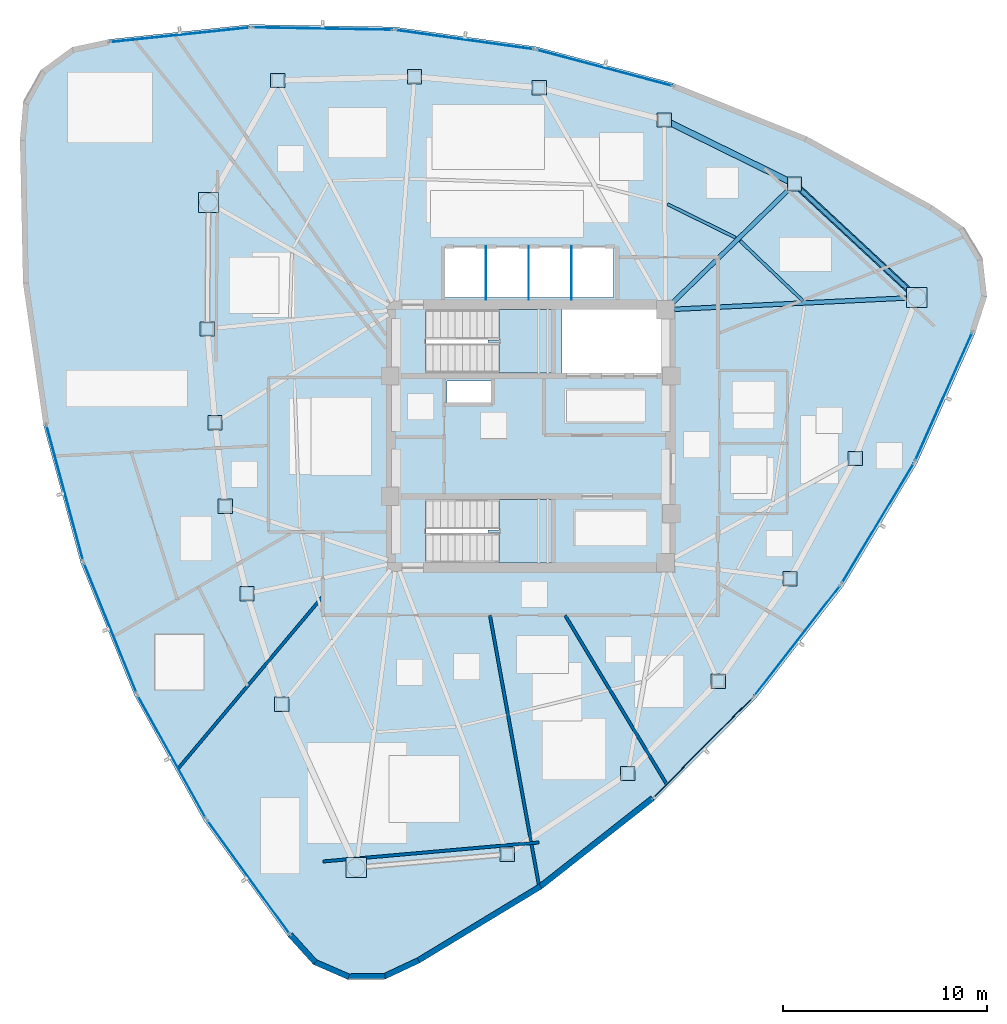
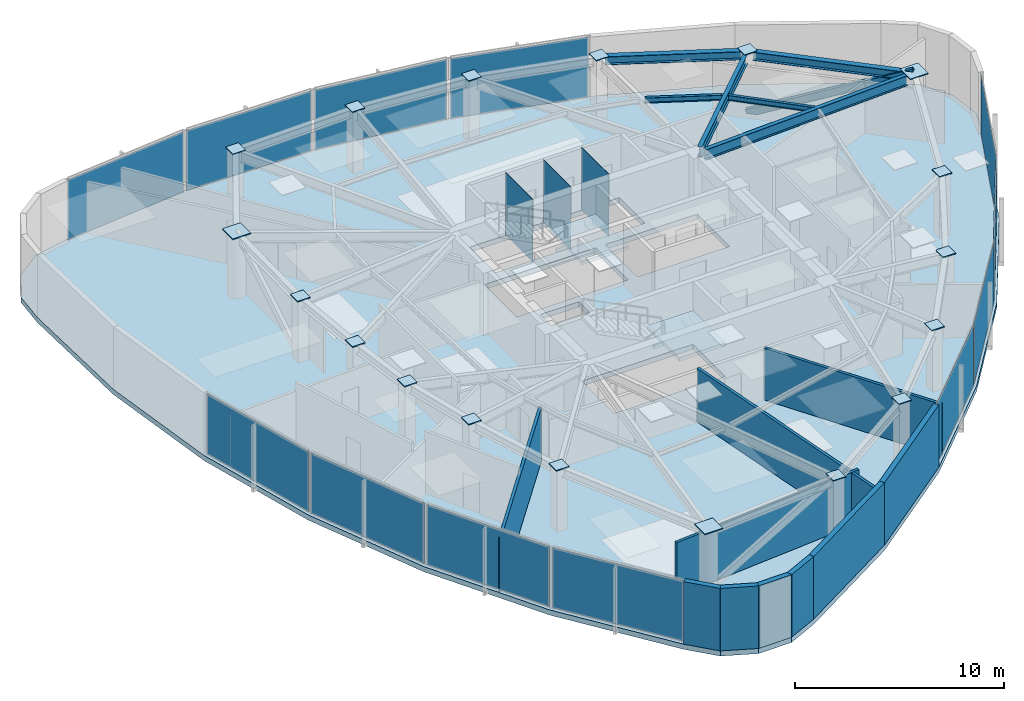
# One storey, part 7 of 13: 33 plates, 10 walls, 6 beams, 3 slabs, 1 member, 14 elements without a shape of their own.
"""IFC4 building model written with IfcOpenShell, lengths in metres."""

from ifc_helpers import new_model, si_unit, direction, frame, frame_2d, origin, origin_2d, place, context, subcontext, project, spatial, polyline, rectangle, hollow_rectangle, i_section, outline, extrude, source, transform, mapped, material, layer, layer_set, material_profile, profile_set, type_object, type_shapes, element, aggregate, save


model = new_model("IFC4")

# Units and contexts
model_context = context("Model", 3, precision=1e-05, world=origin(), true_north=direction((0.0, 1.0)))
body_context = subcontext(model_context, "Body", "Model", "MODEL_VIEW")
ifc_project = project(units=[si_unit("LENGTHUNIT", "METRE"), si_unit("AREAUNIT", "SQUARE_METRE"), si_unit("VOLUMEUNIT", "CUBIC_METRE"), si_unit("PLANEANGLEUNIT", "RADIAN"), si_unit("MASSUNIT", "GRAM", prefix="KILO")], contexts=[model_context])

# Site, building, storey
site_placement = place(None, origin())
site = spatial("IfcSite", under=ifc_project, at=site_placement, CompositionType="ELEMENT")
building_placement = place(site_placement, origin())
building = spatial("IfcBuilding", under=site, at=building_placement, Name="Tavelor Broadcast Tower", CompositionType="ELEMENT")
storey_placement = place(building_placement, frame((0.0, 0.0, 245.85009765625)))
storey = spatial("IfcBuildingStorey", under=building, at=storey_placement, Name="L58", CompositionType="ELEMENT", Elevation=245.85009765625)

# Beams
ifc_material_1 = material(Name="Steel S355", Category="steel")
ifc_material_profile_1 = material_profile(ifc_material_1, i_section(OverallWidth=0.14990234375, OverallDepth=0.300048828125, WebThickness=0.007080078125, FlangeThickness=0.0107421875, at=origin_2d()), Name="IPE 300")
ifc_profile_set_1 = profile_set([ifc_material_profile_1], Name="Steel S355")
beam_type_1 = type_object("IfcBeamType", Name="Composite Floor Joist T5 IPE 300", PredefinedType="JOIST", material=ifc_profile_set_1)
beam_1_placement = place(storey_placement, frame((63.3427734375, 51.629150390625, 3.5), z_axis=(-0.722407874214, 0.691467181632, 0.0), x_axis=(-0.691467181632, -0.722407874214, 0.0)))
element("IfcBeam", 1, at=beam_1_placement, inside=storey, type_object=beam_type_1, Name="L58 Secondary Composite Floor Joist 13", PredefinedType="JOIST", context=body_context, shape_type="SweptSolid", body=[
    extrude(i_section(OverallWidth=0.14990234375, OverallDepth=0.300048828125, WebThickness=0.007080078125, FlangeThickness=0.0107421875, at=origin_2d()), origin(), (0.0, 0.0, 1.0), 4.260986328125),
])
beam_2_placement = place(storey_placement, frame((60.038818359375, 54.7333984375, 3.5), z_axis=(-0.897394619692, 0.441228848272, 0.0), x_axis=(-0.441228848272, -0.897394619692, 0.0)))
element("IfcBeam", 2, at=beam_2_placement, inside=storey, type_object=beam_type_1, Name="L58 Secondary Composite Floor Joist 14", PredefinedType="JOIST", context=body_context, shape_type="SweptSolid", body=[
    extrude(i_section(OverallWidth=0.14990234375, OverallDepth=0.300048828125, WebThickness=0.007080078125, FlangeThickness=0.0107421875, at=origin_2d()), origin(), (0.0, 0.0, 1.0), 3.7265625),
])
ifc_material_profile_2 = material_profile(ifc_material_1, i_section(OverallWidth=0.300048828125, OverallDepth=0.489990234375, WebThickness=0.011962890625, FlangeThickness=0.02294921875, at=origin_2d()), Name="HEA 500")
ifc_profile_set_2 = profile_set([ifc_material_profile_2], Name="Steel S355")
beam_type_2 = type_object("IfcBeamType", Name="Perimeter Spandrel Beam T5 HEA 500", PredefinedType="SPANDREL", material=ifc_profile_set_2)
beam_3_placement = place(storey_placement, frame((68.59814453125, 52.09765625, 3.40478515625), z_axis=(-0.732770151307, 0.680476234231, 0.0), x_axis=(-0.680476234231, -0.732770151307, 0.0)))
element("IfcBeam", 3, at=beam_3_placement, inside=storey, type_object=beam_type_2, Name="L58 Framed-Tube Ring Spandrel 13", PredefinedType="SPANDREL", context=body_context, shape_type="SweptSolid", body=[
    extrude(i_section(OverallWidth=0.300048828125, OverallDepth=0.489990234375, WebThickness=0.011962890625, FlangeThickness=0.02294921875, at=origin_2d()), origin(), (0.0, 0.0, 1.0), 7.451171875),
])
beam_4_placement = place(storey_placement, frame((62.668701171875, 57.4912109375, 3.40478515625), z_axis=(-0.897262651787, 0.441497150284, 0.0), x_axis=(-0.441497150284, -0.897262651787, 0.0)))
element("IfcBeam", 4, at=beam_4_placement, inside=storey, type_object=beam_type_2, Name="L58 Framed-Tube Ring Spandrel 14", PredefinedType="SPANDREL", context=body_context, shape_type="SweptSolid", body=[
    extrude(i_section(OverallWidth=0.300048828125, OverallDepth=0.489990234375, WebThickness=0.011962890625, FlangeThickness=0.02294921875, at=origin_2d()), origin(), (0.0, 0.0, 1.0), 6.536376953125),
])

# Member
ifc_material_profile_3 = material_profile(ifc_material_1, hollow_rectangle(XDim=0.199951171875, YDim=0.39990234375, WallThickness=0.01611328125, at=origin_2d()), Name="RHS 400x200x16")
ifc_profile_set_3 = profile_set([ifc_material_profile_3], Name="Steel S355")
member_type = type_object("IfcMemberType", Name="Perimeter Tube Brace T5 RHS 400x200x16", PredefinedType="BRACE", material=ifc_profile_set_3)
member_placement = place(storey_placement, frame((62.92724609375, 57.364013671875, 0.0), z_axis=(0.669140005594, -0.621404656244, 0.407563376803), x_axis=(0.680486595916, 0.732760528944, 0.0)))
element("IfcMember", 5, at=member_placement, inside=storey, type_object=member_type, Name="L58 Corner Tube Diagonal Brace 3", PredefinedType="BRACE", context=body_context, shape_type="SweptSolid", body=[
    extrude(hollow_rectangle(XDim=0.199951171875, YDim=0.39990234375, WallThickness=0.01611328125, at=origin_2d()), origin(), (0.0, 0.0, 1.0), 8.955322265625),
])

# Beams
ifc_material_profile_4 = material_profile(ifc_material_1, i_section(OverallWidth=0.219970703125, OverallDepth=0.60009765625, WebThickness=0.011962890625, FlangeThickness=0.01904296875, at=origin_2d()), Name="IPE 600")
ifc_profile_set_4 = profile_set([ifc_material_profile_4], Name="Steel S355")
beam_type_3 = type_object("IfcBeamType", Name="Radial Floor Girder T5 IPE 600", PredefinedType="BEAM", material=ifc_profile_set_4)
beam_5_placement = place(storey_placement, frame((57.031494140625, 51.220947265625, 3.349853515625), z_axis=(0.998819342989, 0.048579008537, 0.0), x_axis=(-0.048579008537, 0.998819342989, 0.0)))
element("IfcBeam", 6, at=beam_5_placement, inside=storey, type_object=beam_type_3, Name="L58 Radial Primary Floor Girder 13", PredefinedType="BEAM", context=body_context, shape_type="SweptSolid", body=[
    extrude(i_section(OverallWidth=0.219970703125, OverallDepth=0.60009765625, WebThickness=0.011962890625, FlangeThickness=0.01904296875, at=origin_2d()), origin(), (0.0, 0.0, 1.0), 11.46337890625),
])
beam_6_placement = place(storey_placement, frame((56.909423828125, 51.50146484375, 3.349853515625), z_axis=(0.716299388852, 0.697793082175, 0.0), x_axis=(-0.697793082175, 0.716299388852, 0.0)))
element("IfcBeam", 7, at=beam_6_placement, inside=storey, type_object=beam_type_3, Name="L58 Radial Primary Floor Girder 14", PredefinedType="BEAM", context=body_context, shape_type="SweptSolid", body=[
    extrude(i_section(OverallWidth=0.219970703125, OverallDepth=0.60009765625, WebThickness=0.011962890625, FlangeThickness=0.01904296875, at=origin_2d()), origin(), (0.0, 0.0, 1.0), 8.11328125),
])

# Stair, slab
ifc_material_2 = material(Name="Concrete C40/50", Category="concrete")
stair_type = type_object("IfcStairType", Name="Reinforced Concrete Protected Dogleg Stair 1450 mm", PredefinedType="HALF_TURN_STAIR", material=ifc_material_2)
stair_1_placement = place(storey_placement, origin())
stair_1 = element("IfcStair", 8, at=stair_1_placement, inside=storey, type_object=stair_type, Name="L58 Protected Core Exit Stair ST1", PredefinedType="HALF_TURN_STAIR")
ifc_layer_1 = layer(ifc_material_2, 0.199951171875)
ifc_layer_set_1 = layer_set([ifc_layer_1], Name="Concrete C40/50")
slab_type_1 = type_object("IfcSlabType", Name="Reinforced Concrete Stair Half-Landing Slab 200 mm", PredefinedType="LANDING", material=ifc_layer_set_1)
slab_1_placement = place(storey_placement, frame((0.0, 0.0, 1.77490234375)))
slab_1 = element("IfcSlab", 9, at=slab_1_placement, type_object=slab_type_1, Name="ST1 landing 1", PredefinedType="LANDING", context=body_context, shape_type="SweptSolid", body=[
    extrude(outline(polyline([(48.445068359375, 49.590087890625), (48.445068359375, 48.094970703125), (51.0048828125, 48.094970703125), (51.0048828125, 51.205078125), (48.445068359375, 51.205078125), (48.445068359375, 49.7099609375), (47.905029296875, 49.7099609375), (47.905029296875, 49.590087890625), (48.445068359375, 49.590087890625)])), origin(), (0.0, 0.0, 1.0), 0.199951171875),
])
aggregate(stair_1, [slab_1])

stair_2_placement = place(storey_placement, origin())
stair_2 = element("IfcStair", 10, at=stair_2_placement, inside=storey, type_object=stair_type, Name="L58 Protected Core Exit Stair ST2", PredefinedType="HALF_TURN_STAIR")
slab_2_placement = place(storey_placement, frame((0.0, 0.0, 1.77490234375)))
slab_2 = element("IfcSlab", 11, at=slab_2_placement, type_object=slab_type_1, Name="ST2 landing 1", PredefinedType="LANDING", context=body_context, shape_type="SweptSolid", body=[
    extrude(outline(polyline([(48.445068359375, 40.2900390625), (48.445068359375, 38.794921875), (51.0048828125, 38.794921875), (51.0048828125, 41.905029296875), (48.445068359375, 41.905029296875), (48.445068359375, 40.409912109375), (47.905029296875, 40.409912109375), (47.905029296875, 40.2900390625), (48.445068359375, 40.2900390625)])), origin(), (0.0, 0.0, 1.0), 0.199951171875),
])
aggregate(stair_2, [slab_2])

# Slab
ifc_layer_2 = layer(ifc_material_2, 0.300048828125)
ifc_layer_set_2 = layer_set([ifc_layer_2], Name="Concrete C40/50")
slab_type_2 = type_object("IfcSlabType", Name="Tower Composite Floor Slab 300 mm", PredefinedType="FLOOR", material=ifc_layer_set_2)
slab_3_placement = place(storey_placement, frame((0.0, 0.0, -0.300048828125)))
element("IfcSlab", 12, at=slab_3_placement, inside=storey, type_object=slab_type_2, Name="L58 Structural Floor Slab", PredefinedType="FLOOR", context=body_context, shape_type="SweptSolid", body=[
    extrude(outline(polyline([(29.3046875, 64.450927734375), (27.502685546875, 64.06298828125), (26.01953125, 62.9677734375), (25.118896484375, 61.359130859375), (24.959716796875, 59.5224609375), (25.109619140625, 52.5068359375), (26.107421875, 45.56103515625), (27.938232421875, 38.786865234375), (30.575439453125, 32.2841796875), (33.980224609375, 26.148193359375), (38.1025390625, 20.469482421875), (39.339599609375, 19.102783203125), (41.02978515625, 18.3662109375), (42.873046875, 18.390380859375), (44.543212890625, 19.1708984375), (50.5439453125, 22.80859375), (56.060546875, 27.1455078125), (61.011474609375, 32.1181640625), (65.324462890625, 37.653564453125), (68.935791015625, 43.669921875), (71.792724609375, 50.079345703125), (72.35791015625, 51.834228515625), (72.150634765625, 53.666015625), (71.2080078125, 55.25048828125), (69.697021484375, 56.306396484375), (63.54638671875, 59.6845703125), (57.0322265625, 62.29345703125), (50.250244140625, 64.094970703125), (43.300048828125, 65.062255859375), (36.283935546875, 65.181640625), (29.3046875, 64.450927734375)]), holes=[polyline([(50.99609375, 41.89599609375), (50.99609375, 38.803955078125), (44.85400390625, 38.803955078125), (44.85400390625, 41.89599609375), (50.99609375, 41.89599609375)]), polyline([(48.050048828125, 47.699951171875), (48.050048828125, 46.64990234375), (45.89990234375, 46.64990234375), (45.89990234375, 47.699951171875), (48.050048828125, 47.699951171875)]), polyline([(50.99609375, 51.196044921875), (50.99609375, 48.10400390625), (44.85400390625, 48.10400390625), (44.85400390625, 51.196044921875), (50.99609375, 51.196044921875)]), polyline([(56.60009765625, 48.10009765625), (51.52001953125, 48.10009765625), (51.52001953125, 51.199951171875), (56.60009765625, 51.199951171875), (56.60009765625, 48.10009765625)]), polyline([(54.050048828125, 51.800048828125), (45.800048828125, 51.800048828125), (45.800048828125, 54.25), (54.050048828125, 54.25), (54.050048828125, 51.800048828125)])]), origin(), (0.0, 0.0, 1.0), 0.300048828125),
])

# Plates
ifc_material_3 = material(Name="Steel S460", Category="steel")
ifc_layer_3 = layer(ifc_material_3, 0.050048828125)
ifc_layer_set_3 = layer_set([ifc_layer_3], Name="Steel S460")
plate_type_1 = type_object("IfcPlateType", Name="Tube Hollow-End Cap Plate KN05 700x700x50", PredefinedType="USERDEFINED", material=ifc_layer_set_3)
shared_shape_1 = source(origin(), body_context, "Body", "SweptSolid", [
    extrude(rectangle(XDim=0.699951171875, YDim=0.699951171875, at=origin_2d()), origin(), (0.0, 0.0, 1.0), 0.054931640625),
])
for number, where, z_axis, x_axis, name in (
    (13, (34.13720703125, 50.255859375, 3.62255859375), (0.0, 0.0, 1.0), (1.0, 0.0, 0.0), "L58 Hollow End Cap Plate KN05 #1706"),
    (14, (34.513671875, 45.66455078125, 3.62255859375), (0.0, 0.0, 1.0), (1.0, 0.0, 0.0), "L58 Hollow End Cap Plate KN05 #1707"),
    (15, (35.018798828125, 41.56396484375, 3.62255859375), (0.0, 0.0, 1.0), (1.0, 0.0, 0.0), "L58 Hollow End Cap Plate KN05 #1708"),
    (16, (36.08349609375, 37.2822265625, 3.62255859375), (0.0, 0.0, 1.0), (1.0, 0.0, 0.0), "L58 Hollow End Cap Plate KN05 #1709"),
    (17, (37.797119140625, 31.853271484375, 3.62255859375), (0.0, 0.0, 1.0), (1.0, 0.0, 0.0), "L58 Hollow End Cap Plate KN05 #1710"),
    (18, (48.843994140625, 24.5048828125, 3.62255859375), (0.0, 0.0, 1.0), (1.0, 0.0, 0.0), "L58 Hollow End Cap Plate KN05 #1712"),
    (19, (54.754150390625, 28.461669921875, 3.62255859375), (0.0, 0.0, 1.0), (1.0, 0.0, 0.0), "L58 Hollow End Cap Plate KN05 #1713"),
    (20, (59.1923828125, 32.987060546875, 3.62255859375), (0.0, 0.0, 1.0), (1.0, 0.0, 0.0), "L58 Hollow End Cap Plate KN05 #1714"),
    (21, (62.7109375, 38.009033203125, 3.62255859375), (0.0, 0.0, 1.0), (1.0, 0.0, 0.0), "L58 Hollow End Cap Plate KN05 #1715"),
    (22, (65.9072265625, 43.909423828125, 3.62255859375), (0.0, 0.0, 1.0), (1.0, 0.0, 0.0), "L58 Hollow End Cap Plate KN05 #1716"),
    (23, (62.92724609375, 57.364013671875, 3.62255859375), (0.0, 0.0, 1.0), (1.0, 0.0, 0.0), "L58 Hollow End Cap Plate KN05 #1718"),
    (24, (56.545654296875, 60.504150390625, 3.62255859375), (0.0, 0.0, 1.0), (1.0, 0.0, 0.0), "L58 Hollow End Cap Plate KN05 #1719"),
    (25, (50.4072265625, 62.0849609375, 3.62255859375), (0.0, 0.0, 1.0), (1.0, 0.0, 0.0), "L58 Hollow End Cap Plate KN05 #1720"),
    (26, (44.298828125, 62.621337890625, 3.62255859375), (0.0, 0.0, 1.0), (1.0, 0.0, 0.0), "L58 Hollow End Cap Plate KN05 #1721"),
    (27, (37.5908203125, 62.439208984375, 3.62255859375), (0.0, 0.0, 1.0), (1.0, 0.0, 0.0), "L58 Hollow End Cap Plate KN05 #1722"),
):
    element("IfcPlate", number, at=place(storey_placement, frame(where, z_axis=z_axis, x_axis=x_axis)), inside=storey, type_object=plate_type_1, Name=name, ObjectType="CAP PLATE", PredefinedType="USERDEFINED", context=body_context, shape_type="MappedRepresentation", body=[
        mapped(shared_shape_1, transform((0.0, 0.0, 0.0), scale=1.0)),
    ])
shared_shape_2 = source(origin(), body_context, "Body", "SweptSolid", [
    extrude(rectangle(XDim=0.993896484375, YDim=0.993896484375, at=origin_2d()), origin(), (0.0, 0.0, 1.0), 0.054931640625),
])
type_shapes(plate_type_1, [shared_shape_1, shared_shape_2])
for number, where, z_axis, x_axis, name in (
    (28, (34.1962890625, 56.4599609375, 3.62255859375), (0.0, 0.0, 1.0), (1.0, 0.0, 0.0), "L58 Hollow End Cap Plate KN05 #1705"),
    (29, (41.440185546875, 23.853759765625, 3.62255859375), (0.0, 0.0, 1.0), (1.0, 0.0, 0.0), "L58 Hollow End Cap Plate KN05 #1711"),
    (30, (68.919677734375, 51.799072265625, 3.62255859375), (0.0, 0.0, 1.0), (1.0, 0.0, 0.0), "L58 Hollow End Cap Plate KN05 #1717"),
):
    element("IfcPlate", number, at=place(storey_placement, frame(where, z_axis=z_axis, x_axis=x_axis)), inside=storey, type_object=plate_type_1, Name=name, ObjectType="CAP PLATE", PredefinedType="USERDEFINED", context=body_context, shape_type="MappedRepresentation", body=[
        mapped(shared_shape_2, transform((0.0, 0.0, 0.0), scale=1.0)),
    ])
ifc_layer_4 = layer(ifc_material_1, 0.011962890625)
ifc_layer_set_4 = layer_set([ifc_layer_4], Name="Steel S355")
plate_type_2 = type_object("IfcPlateType", Name="Hoistway Steel Separator Screen 12 mm", PredefinedType="SHEET", material=ifc_layer_set_4)
shared_shape_3 = source(origin(), body_context, "Body", "SweptSolid", [
    extrude(rectangle(XDim=0.02001953125, YDim=2.6201171875, at=origin_2d()), origin(), (0.0, 0.0, 1.0), 3.64990234375),
])
type_shapes(plate_type_2, [shared_shape_3])
for number, where, z_axis, x_axis, name in (
    (31, (47.800048828125, 52.989990234375, 0.0), (0.0, 0.0, 1.0), (1.0, 0.0, 0.0), "L58 High-Rise Hoistway Separator Screen 1"),
    (32, (49.89990234375, 52.989990234375, 0.0), (0.0, 0.0, 1.0), (1.0, 0.0, 0.0), "L58 High-Rise Hoistway Separator Screen 2"),
    (33, (52.0, 52.989990234375, 0.0), (0.0, 0.0, 1.0), (1.0, 0.0, 0.0), "L58 High-Rise Hoistway Separator Screen 3"),
):
    element("IfcPlate", number, at=place(storey_placement, frame(where, z_axis=z_axis, x_axis=x_axis)), inside=storey, type_object=plate_type_2, Name=name, PredefinedType="SHEET", context=body_context, shape_type="MappedRepresentation", body=[
        mapped(shared_shape_3, transform((0.0, 0.0, 0.0), scale=1.0)),
    ])

# Curtain wall, plate
ifc_material_4 = material(Name="Architectural Anodized Aluminium", Category="aluminium")
ifc_layer_5 = layer(ifc_material_4, 0.199951171875)
ifc_layer_set_5 = layer_set([ifc_layer_5], Name="Architectural Anodized Aluminium")
curtain_wall_type = type_object("IfcCurtainWallType", Name="Tower High-Zone Triple-Glazed Curtain Wall CW04", PredefinedType="NOTDEFINED", material=ifc_layer_set_5)
curtain_wall_1_placement = place(storey_placement, origin())
curtain_wall_1 = element("IfcCurtainWall", 34, at=curtain_wall_1_placement, inside=storey, type_object=curtain_wall_type, Name="L58 Curtain Wall CW04 Run 625", PredefinedType="NOTDEFINED")
ifc_material_5 = material(Name="High-Altitude Triple Glazing 36 mm", Category="glass")
ifc_layer_6 = layer(ifc_material_5, 0.035888671875)
ifc_layer_set_6 = layer_set([ifc_layer_6], Name="High-Altitude Triple Glazing 36 mm")
plate_type_3 = type_object("IfcPlateType", Name="CW04 Insulated Vision Glazing Panel 36 mm", PredefinedType="CURTAIN_PANEL", material=ifc_layer_set_6)
shared_shape_4 = source(origin(), body_context, "Body", "SweptSolid", [
    extrude(rectangle(XDim=6.84521484375, YDim=0.035888671875, at=origin_2d()), origin(), (0.0, 0.0, 1.0), 3.510009765625),
])
plate_1_placement = place(storey_placement, frame((27.156005859375, 42.2177734375, 0.06982421875), z_axis=(0.0, 0.0, 1.0), x_axis=(0.260924169521, -0.965359299826, 0.0)))
plate_1 = element("IfcPlate", 35, at=plate_1_placement, type_object=plate_type_3, Name="CW04 panel 1.1", PredefinedType="CURTAIN_PANEL", context=body_context, shape_type="MappedRepresentation", body=[
    mapped(shared_shape_4, transform((0.0, 0.0, 0.0), scale=1.0)),
])
aggregate(curtain_wall_1, [plate_1])

curtain_wall_2_placement = place(storey_placement, origin())
curtain_wall_2 = element("IfcCurtainWall", 36, at=curtain_wall_2_placement, inside=storey, type_object=curtain_wall_type, Name="L58 Curtain Wall CW04 Run 629", PredefinedType="NOTDEFINED")
plate_2_placement = place(storey_placement, frame((58.431396484375, 29.725341796875, 0.06982421875), z_axis=(0.0, 0.0, 1.0), x_axis=(0.705558942636, 0.70865123895, 0.0)))
plate_2 = element("IfcPlate", 37, at=plate_2_placement, type_object=plate_type_3, Name="CW04 panel 1.1", PredefinedType="CURTAIN_PANEL", context=body_context, shape_type="MappedRepresentation", body=[
    mapped(shared_shape_4, transform((0.0, 0.0, 0.0), scale=1.0)),
])
aggregate(curtain_wall_2, [plate_2])

curtain_wall_3_placement = place(storey_placement, origin())
curtain_wall_3 = element("IfcCurtainWall", 38, at=curtain_wall_3_placement, inside=storey, type_object=curtain_wall_type, Name="L58 Curtain Wall CW04 Run 633", PredefinedType="NOTDEFINED")
plate_3_placement = place(storey_placement, frame((53.612548828125, 63.056884765625, 0.06982421875), z_axis=(0.0, 0.0, 1.0), x_axis=(-0.96648279582, 0.25673138761, 0.0)))
plate_3 = element("IfcPlate", 39, at=plate_3_placement, type_object=plate_type_3, Name="CW04 panel 1.1", PredefinedType="CURTAIN_PANEL", context=body_context, shape_type="MappedRepresentation", body=[
    mapped(shared_shape_4, transform((0.0, 0.0, 0.0), scale=1.0)),
])
aggregate(curtain_wall_3, [plate_3])

curtain_wall_4_placement = place(storey_placement, origin())
curtain_wall_4 = element("IfcCurtainWall", 40, at=curtain_wall_4_placement, inside=storey, type_object=curtain_wall_type, Name="L58 Curtain Wall CW04 Run 626", PredefinedType="NOTDEFINED")
shared_shape_5 = source(origin(), body_context, "Body", "SweptSolid", [
    extrude(rectangle(XDim=6.830078125, YDim=0.035888671875, at=origin_2d()), origin(), (0.0, 0.0, 1.0), 3.510009765625),
])
plate_4_placement = place(storey_placement, frame((29.38671875, 35.588134765625, 0.06982421875), z_axis=(0.0, 0.0, 1.0), x_axis=(0.375821664505, -0.926692007351, 0.0)))
plate_4 = element("IfcPlate", 41, at=plate_4_placement, type_object=plate_type_3, Name="CW04 panel 1.1", PredefinedType="CURTAIN_PANEL", context=body_context, shape_type="MappedRepresentation", body=[
    mapped(shared_shape_5, transform((0.0, 0.0, 0.0), scale=1.0)),
])
aggregate(curtain_wall_4, [plate_4])

curtain_wall_5_placement = place(storey_placement, origin())
curtain_wall_5 = element("IfcCurtainWall", 42, at=curtain_wall_5_placement, inside=storey, type_object=curtain_wall_type, Name="L58 Curtain Wall CW04 Run 631", PredefinedType="NOTDEFINED")
plate_5_placement = place(storey_placement, frame((67.01025390625, 40.73388671875, 0.06982421875), z_axis=(0.0, 0.0, 1.0), x_axis=(0.514651874891, 0.857399234704, 0.0)))
plate_5 = element("IfcPlate", 43, at=plate_5_placement, type_object=plate_type_3, Name="CW04 panel 1.1", PredefinedType="CURTAIN_PANEL", context=body_context, shape_type="MappedRepresentation", body=[
    mapped(shared_shape_5, transform((0.0, 0.0, 0.0), scale=1.0)),
])
aggregate(curtain_wall_5, [plate_5])

curtain_wall_6_placement = place(storey_placement, origin())
curtain_wall_6 = element("IfcCurtainWall", 44, at=curtain_wall_6_placement, inside=storey, type_object=curtain_wall_type, Name="L58 Curtain Wall CW04 Run 634", PredefinedType="NOTDEFINED")
plate_6_placement = place(storey_placement, frame((46.755859375, 64.43994140625, 0.06982421875), z_axis=(0.0, 0.0, 1.0), x_axis=(-0.990451828929, 0.137859256385, 0.0)))
plate_6 = element("IfcPlate", 45, at=plate_6_placement, type_object=plate_type_3, Name="CW04 panel 1.1", PredefinedType="CURTAIN_PANEL", context=body_context, shape_type="MappedRepresentation", body=[
    mapped(shared_shape_5, transform((0.0, 0.0, 0.0), scale=1.0)),
])
aggregate(curtain_wall_6, [plate_6])

curtain_wall_7_placement = place(storey_placement, origin())
curtain_wall_7 = element("IfcCurtainWall", 46, at=curtain_wall_7_placement, inside=storey, type_object=curtain_wall_type, Name="L58 Curtain Wall CW04 Run 635", PredefinedType="NOTDEFINED")
plate_7_placement = place(storey_placement, frame((39.78955078125, 64.98193359375, 0.06982421875), z_axis=(0.0, 0.0, 1.0), x_axis=(-0.999855469618, 0.01700117277, 0.0)))
plate_7 = element("IfcPlate", 47, at=plate_7_placement, type_object=plate_type_3, Name="CW04 panel 1.1", PredefinedType="CURTAIN_PANEL", context=body_context, shape_type="MappedRepresentation", body=[
    mapped(shared_shape_5, transform((0.0, 0.0, 0.0), scale=1.0)),
])
aggregate(curtain_wall_7, [plate_7])

curtain_wall_8_placement = place(storey_placement, origin())
curtain_wall_8 = element("IfcCurtainWall", 48, at=curtain_wall_8_placement, inside=storey, type_object=curtain_wall_type, Name="L58 Curtain Wall CW04 Run 627", PredefinedType="NOTDEFINED")
shared_shape_6 = source(origin(), body_context, "Body", "SweptSolid", [
    extrude(rectangle(XDim=6.830322265625, YDim=0.035888671875, at=origin_2d()), origin(), (0.0, 0.0, 1.0), 3.510009765625),
])
plate_8_placement = place(storey_placement, frame((32.400390625, 29.2841796875, 0.06982421875), z_axis=(0.0, 0.0, 1.0), x_axis=(0.485204349241, -0.874400788813, 0.0)))
plate_8 = element("IfcPlate", 49, at=plate_8_placement, type_object=plate_type_3, Name="CW04 panel 1.1", PredefinedType="CURTAIN_PANEL", context=body_context, shape_type="MappedRepresentation", body=[
    mapped(shared_shape_6, transform((0.0, 0.0, 0.0), scale=1.0)),
])
aggregate(curtain_wall_8, [plate_8])

curtain_wall_9_placement = place(storey_placement, origin())
curtain_wall_9 = element("IfcCurtainWall", 50, at=curtain_wall_9_placement, inside=storey, type_object=curtain_wall_type, Name="L58 Curtain Wall CW04 Run 630", PredefinedType="NOTDEFINED")
plate_9_placement = place(storey_placement, frame((63.0576171875, 34.971923828125, 0.06982421875), z_axis=(0.0, 0.0, 1.0), x_axis=(0.614630679903, 0.788815014641, 0.0)))
plate_9 = element("IfcPlate", 51, at=plate_9_placement, type_object=plate_type_3, Name="CW04 panel 1.1", PredefinedType="CURTAIN_PANEL", context=body_context, shape_type="MappedRepresentation", body=[
    mapped(shared_shape_6, transform((0.0, 0.0, 0.0), scale=1.0)),
])
aggregate(curtain_wall_9, [plate_9])

curtain_wall_10_placement = place(storey_placement, origin())
curtain_wall_10 = element("IfcCurtainWall", 52, at=curtain_wall_10_placement, inside=storey, type_object=curtain_wall_type, Name="L58 Curtain Wall CW04 Run 628", PredefinedType="NOTDEFINED")
shared_shape_7 = source(origin(), body_context, "Body", "SweptSolid", [
    extrude(rectangle(XDim=6.845947265625, YDim=0.035888671875, at=origin_2d()), origin(), (0.0, 0.0, 1.0), 3.510009765625),
])
plate_10_placement = place(storey_placement, frame((36.159423828125, 23.384765625, 0.06982421875), z_axis=(0.0, 0.0, 1.0), x_axis=(0.587456529449, -0.809255723494, 0.0)))
plate_10 = element("IfcPlate", 53, at=plate_10_placement, type_object=plate_type_3, Name="CW04 panel 1.1", PredefinedType="CURTAIN_PANEL", context=body_context, shape_type="MappedRepresentation", body=[
    mapped(shared_shape_7, transform((0.0, 0.0, 0.0), scale=1.0)),
])
aggregate(curtain_wall_10, [plate_10])

curtain_wall_11_placement = place(storey_placement, origin())
curtain_wall_11 = element("IfcCurtainWall", 54, at=curtain_wall_11_placement, inside=storey, type_object=curtain_wall_type, Name="L58 Curtain Wall CW04 Run 632", PredefinedType="NOTDEFINED")
shared_shape_8 = source(origin(), body_context, "Body", "SweptSolid", [
    extrude(rectangle(XDim=6.84619140625, YDim=0.035888671875, at=origin_2d()), origin(), (0.0, 0.0, 1.0), 3.510009765625),
])
type_shapes(plate_type_3, [shared_shape_4, shared_shape_5, shared_shape_6, shared_shape_7, shared_shape_8])
plate_11_placement = place(storey_placement, frame((70.23974609375, 46.93896484375, 0.06982421875), z_axis=(0.0, 0.0, 1.0), x_axis=(0.407123694261, 0.913373033087, 0.0)))
plate_11 = element("IfcPlate", 55, at=plate_11_placement, type_object=plate_type_3, Name="CW04 panel 1.1", PredefinedType="CURTAIN_PANEL", context=body_context, shape_type="MappedRepresentation", body=[
    mapped(shared_shape_8, transform((0.0, 0.0, 0.0), scale=1.0)),
])
aggregate(curtain_wall_11, [plate_11])

curtain_wall_12_placement = place(storey_placement, origin())
curtain_wall_12 = element("IfcCurtainWall", 56, at=curtain_wall_12_placement, inside=storey, type_object=curtain_wall_type, Name="L58 Curtain Wall CW04 Run 636", PredefinedType="NOTDEFINED")
plate_12_placement = place(storey_placement, frame((32.801025390625, 64.67626953125, 0.06982421875), z_axis=(0.0, 0.0, 1.0), x_axis=(-0.994564744629, -0.104119972827, 0.0)))
plate_12 = element("IfcPlate", 57, at=plate_12_placement, type_object=plate_type_3, Name="CW04 panel 1.1", PredefinedType="CURTAIN_PANEL", context=body_context, shape_type="MappedRepresentation", body=[
    mapped(shared_shape_8, transform((0.0, 0.0, 0.0), scale=1.0)),
])
aggregate(curtain_wall_12, [plate_12])

# Walls
ifc_material_6 = material(Name="Precast Concrete C40/50", Category="concrete")
ifc_layer_7 = layer(ifc_material_6, 0.280029296875)
ifc_layer_set_7 = layer_set([ifc_layer_7], Name="Precast Concrete C40/50")
wall_type_1 = type_object("IfcWallType", Name="Insulated Precast Terracotta Facade Wall 280 mm", PredefinedType="STANDARD", material=ifc_layer_set_7)
wall_1_placement = place(storey_placement, frame((38.208740234375, 20.560791015625, 0.0), z_axis=(0.0, 0.0, 1.0), x_axis=(0.67111299037, -0.741355079673, 0.0)))
element("IfcWall", 58, at=wall_1_placement, inside=storey, type_object=wall_type_1, Name="L58 Rounded Corner Structural Cladding Pier 11", PredefinedType="STANDARD", context=body_context, shape_type="SweptSolid", body=[
    extrude(rectangle(XDim=1.82470703125, YDim=0.280029296875, at=frame_2d((0.912353515625, 0.0))), origin(), (0.0, 0.0, 1.0), 3.64990234375),
])
for number, where, z_axis, x_axis, name in (
    (59, (39.409423828125, 19.22509765625, 0.0), (0.0, 0.0, 1.0), (0.916697229187, -0.39958251964, 0.0), "L58 Rounded Corner Structural Cladding Pier 12"),
    (60, (41.04296875, 18.50634765625, 0.0), (0.0, 0.0, 1.0), (0.999912956048, 0.01319395041, 0.0), "L58 Rounded Corner Structural Cladding Pier 13"),
):
    element("IfcWall", number, at=place(storey_placement, frame(where, z_axis=z_axis, x_axis=x_axis)), inside=storey, type_object=wall_type_1, Name=name, PredefinedType="STANDARD", context=body_context, shape_type="SweptSolid", body=[
        extrude(rectangle(XDim=1.8134765625, YDim=0.280029296875, at=frame_2d((0.90673828125, 0.0))), origin(), (0.0, 0.0, 1.0), 3.64990234375),
    ])
wall_2_placement = place(storey_placement, frame((42.827392578125, 18.523681640625, 0.0), z_axis=(0.0, 0.0, 1.0), x_axis=(0.905999599175, 0.423278544573, 0.0)))
element("IfcWall", 61, at=wall_2_placement, inside=storey, type_object=wall_type_1, Name="L58 Rounded Corner Structural Cladding Pier 14", PredefinedType="STANDARD", context=body_context, shape_type="SweptSolid", body=[
    extrude(rectangle(XDim=1.8359375, YDim=0.280029296875, at=frame_2d((0.91796875, 0.0))), origin(), (0.0, 0.0, 1.0), 3.64990234375),
])
wall_3_placement = place(storey_placement, frame((44.46435546875, 19.286865234375, 0.0), z_axis=(0.0, 0.0, 1.0), x_axis=(0.85515258841, 0.518376359931, 0.0)))
element("IfcWall", 62, at=wall_3_placement, inside=storey, type_object=wall_type_1, Name="L58 Rounded Corner Structural Cladding Pier 15", PredefinedType="STANDARD", context=body_context, shape_type="SweptSolid", body=[
    extrude(rectangle(XDim=7.03125, YDim=0.280029296875, at=frame_2d((3.515625, 0.0))), origin(), (0.0, 0.0, 1.0), 3.64990234375),
])
wall_4_placement = place(storey_placement, frame((50.452392578125, 22.91455078125, 0.0), z_axis=(0.0, 0.0, 1.0), x_axis=(0.786144507046, 0.61804272833, 0.0)))
element("IfcWall", 63, at=wall_4_placement, inside=storey, type_object=wall_type_1, Name="L58 Rounded Corner Structural Cladding Pier 16", PredefinedType="STANDARD", context=body_context, shape_type="SweptSolid", body=[
    extrude(rectangle(XDim=7.01904296875, YDim=0.280029296875, at=frame_2d((3.509521484375, 0.0))), origin(), (0.0, 0.0, 1.0), 3.64990234375),
])
ifc_material_7 = material(Name="Gypsum Acoustic Plasterboard 150 mm", Category="gypsum")
ifc_layer_8 = layer(ifc_material_7, 0.14990234375)
ifc_layer_set_8 = layer_set([ifc_layer_8], Name="Gypsum Acoustic Plasterboard 150 mm")
wall_type_2 = type_object("IfcWallType", Name="Interior Acoustic Partition Wall 150 mm", PredefinedType="PARTITIONING", material=ifc_layer_set_8)
wall_5_placement = place(storey_placement, frame((39.807861328125, 24.15185546875, 0.0), z_axis=(0.0, 0.0, 1.0), x_axis=(0.996153584085, 0.087624408208, 0.0)))
element("IfcWall", 64, at=wall_5_placement, inside=storey, type_object=wall_type_2, Name="L58 Corner Tube Brace Furring Wall 2", PredefinedType="PARTITIONING", context=body_context, shape_type="SweptSolid", body=[
    extrude(rectangle(XDim=10.63232421875, YDim=0.14990234375, at=frame_2d((5.316162109375, 0.0))), origin(), (0.0, 0.0, 1.0), 3.135009765625),
])
wall_6_placement = place(storey_placement, frame((39.800048828125, 37.143798828125, 0.0), z_axis=(0.0, 0.0, 1.0), x_axis=(-0.643262214398, -0.765645951813, 0.0)))
element("IfcWall", 65, at=wall_6_placement, inside=storey, type_object=wall_type_2, Name="L58 Radial Compartment Wall 06", PredefinedType="PARTITIONING", context=body_context, shape_type="SweptSolid", body=[
    extrude(rectangle(XDim=11.021728515625, YDim=0.14990234375, at=frame_2d((5.5107421875, 0.0))), origin(), (0.0, 0.0, 1.0), 3.135009765625),
])
wall_7_placement = place(storey_placement, frame((47.9951171875, 36.219970703125, 0.0), z_axis=(0.0, 0.0, 1.0), x_axis=(0.178734854287, -0.983897277089, 0.0)))
element("IfcWall", 66, at=wall_7_placement, inside=storey, type_object=wall_type_2, Name="L58 Radial Compartment Wall 07", PredefinedType="PARTITIONING", context=body_context, shape_type="SweptSolid", body=[
    extrude(rectangle(XDim=13.55419921875, YDim=0.14990234375, at=frame_2d((6.777099609375, 0.0))), origin(), (0.0, 0.0, 1.0), 3.135009765625),
])
wall_8_placement = place(storey_placement, frame((51.680419921875, 36.219970703125, 0.0), z_axis=(0.0, 0.0, 1.0), x_axis=(0.515386756887, -0.856957694887, 0.0)))
element("IfcWall", 67, at=wall_8_placement, inside=storey, type_object=wall_type_2, Name="L58 Radial Compartment Wall 08", PredefinedType="PARTITIONING", context=body_context, shape_type="SweptSolid", body=[
    extrude(rectangle(XDim=9.667724609375, YDim=0.14990234375, at=frame_2d((4.833984375, 0.0))), origin(), (0.0, 0.0, 1.0), 3.02490234375),
])

save(model, "model.ifc")
